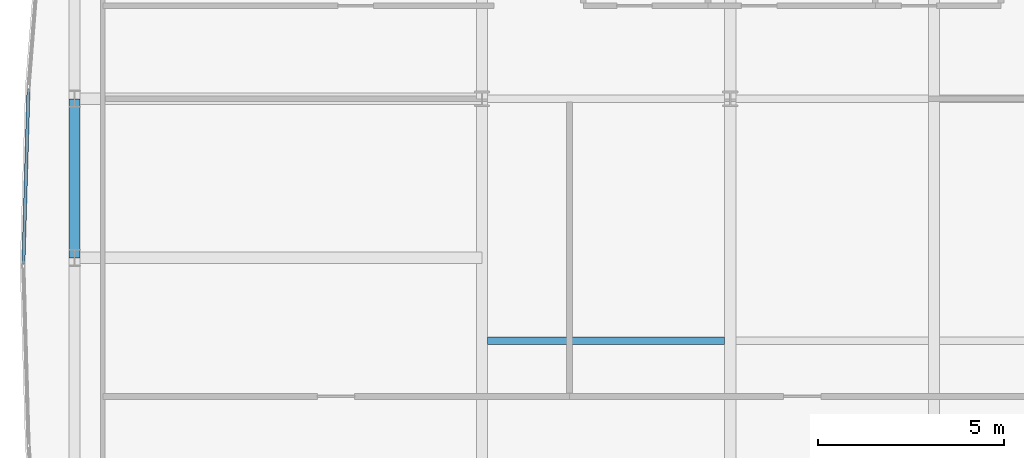
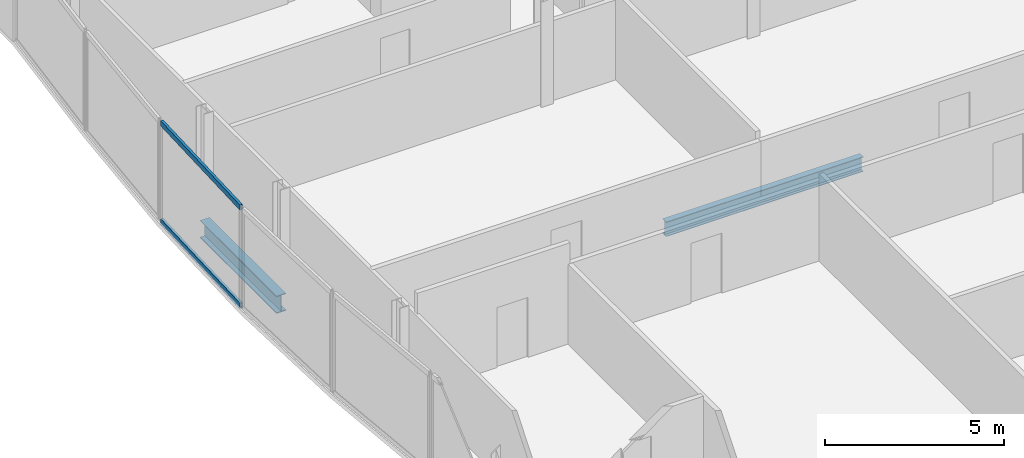
# One storey, part 11 of 32: 2 beams, 2 members, 1 element without a shape of its own.
"""IFC4 building model written with IfcOpenShell, lengths in metres."""

from ifc_helpers import new_model, si_unit, direction, frame, origin, origin_2d, place, context, subcontext, project, spatial, hollow_rectangle, i_section, extrude, material, material_profile, profile_set, type_object, element, aggregate, save


model = new_model("IFC4")

# Units and contexts
model_context = context("Model", 3, precision=1e-05, world=origin(), true_north=direction((0.0, 1.0)))
body_context = subcontext(model_context, "Body", "Model", "MODEL_VIEW")
ifc_project = project(units=[si_unit("LENGTHUNIT", "METRE"), si_unit("AREAUNIT", "SQUARE_METRE"), si_unit("VOLUMEUNIT", "CUBIC_METRE"), si_unit("PLANEANGLEUNIT", "RADIAN"), si_unit("MASSUNIT", "GRAM", prefix="KILO")], contexts=[model_context])

# Site, building, storey
site_placement = place(None, origin())
site = spatial("IfcSite", under=ifc_project, at=site_placement, CompositionType="ELEMENT")
building_placement = place(site_placement, origin())
building = spatial("IfcBuilding", under=site, at=building_placement, Name="Khoronbel Lancet Exchange", CompositionType="ELEMENT")
storey_placement = place(building_placement, frame((0.0, 0.0, 192.199951171875)))
storey = spatial("IfcBuildingStorey", under=building, at=storey_placement, Name="L48", CompositionType="ELEMENT", Elevation=192.199951171875)

# Beams
ifc_material_1 = material(Name="Steel S355", Category="steel")
ifc_material_profile_1 = material_profile(ifc_material_1, i_section(OverallWidth=0.199951171875, OverallDepth=0.5, WebThickness=0.01025390625, FlangeThickness=0.01611328125, at=origin_2d()), Name="IPE 500")
ifc_profile_set_1 = profile_set([ifc_material_profile_1], Name="Steel S355")
beam_type_1 = type_object("IfcBeamType", Name="BM-BJ3", PredefinedType="JOIST", material=ifc_profile_set_1)
beam_1_placement = place(storey_placement, frame((18.375, 29.199951171875, -0.409912109375), z_axis=(1.0, 0.0, 0.0), x_axis=(0.0, 1.0, 0.0)))
element("IfcBeam", 1, at=beam_1_placement, inside=storey, type_object=beam_type_1, Name="Level L48 secondary composite joist J11", PredefinedType="JOIST", context=body_context, shape_type="SweptSolid", body=[
    extrude(i_section(OverallWidth=0.199951171875, OverallDepth=0.5, WebThickness=0.01025390625, FlangeThickness=0.01611328125, at=origin_2d()), origin(), (0.0, 0.0, 1.0), 6.375),
])
ifc_material_profile_2 = material_profile(ifc_material_1, i_section(OverallWidth=0.300048828125, OverallDepth=0.60009765625, WebThickness=0.015380859375, FlangeThickness=0.030029296875, at=origin_2d()), Name="HEB 600")
ifc_profile_set_2 = profile_set([ifc_material_profile_2], Name="Steel S355")
beam_type_2 = type_object("IfcBeamType", Name="BM-BSP2", PredefinedType="SPANDREL", material=ifc_profile_set_2)
beam_2_placement = place(storey_placement, frame((7.27001953125, 35.699951171875, -0.4599609375), z_axis=(0.0, -1.0, 0.0), x_axis=(1.0, 0.0, 0.0)))
element("IfcBeam", 2, at=beam_2_placement, inside=storey, type_object=beam_type_2, Name="Level L48 perimeter spandrel beam SP18", PredefinedType="SPANDREL", context=body_context, shape_type="SweptSolid", body=[
    extrude(i_section(OverallWidth=0.300048828125, OverallDepth=0.60009765625, WebThickness=0.015380859375, FlangeThickness=0.030029296875, at=origin_2d()), origin(), (0.0, 0.0, 1.0), 4.27490234375),
])

# Curtain wall, members
ifc_material_2 = material(Name="Low-E Solar Control Insulating Glass", Category="glass")
curtain_wall_type = type_object("IfcCurtainWallType", Name="CW-4", PredefinedType="NOTDEFINED", material=ifc_material_2)
curtain_wall_placement = place(storey_placement, origin())
curtain_wall = element("IfcCurtainWall", 3, at=curtain_wall_placement, inside=storey, type_object=curtain_wall_type, Name="Unitised curtain wall CW-L48-E07", PredefinedType="NOTDEFINED")
ifc_material_3 = material(Name="Bronze-Anodised Aluminium 6063-T6", Category="aluminium")
ifc_material_profile_3 = material_profile(ifc_material_3, hollow_rectangle(XDim=0.0849609375, YDim=0.179931640625, WallThickness=0.0048828125, at=origin_2d()), Name="ALU TRANSOM 85x180")
ifc_profile_set_3 = profile_set([ifc_material_profile_3], Name="Bronze-Anodised Aluminium 6063-T6")
member_type = type_object("IfcMemberType", Name="MEM-CWT1", PredefinedType="USERDEFINED", material=ifc_profile_set_3)
member_1_placement = place(storey_placement, frame((5.89208984375, 31.27490234375, 0.04248046875), z_axis=(0.029106277096, 0.999576322566, 0.0), x_axis=(-0.999576322566, 0.029106277096, 0.0)))
member_1 = element("IfcMember", 4, at=member_1_placement, type_object=member_type, Name="CW4 transom 1.1", ObjectType="TRANSOM", PredefinedType="USERDEFINED", context=body_context, shape_type="SweptSolid", body=[
    extrude(hollow_rectangle(XDim=0.0849609375, YDim=0.179931640625, WallThickness=0.0048828125, at=origin_2d()), origin(), (0.0, 0.0, 1.0), 4.680419921875),
])
member_2_placement = place(storey_placement, frame((5.89208984375, 31.27490234375, 3.3974609375), z_axis=(0.029106277096, 0.999576322566, 0.0), x_axis=(-0.999576322566, 0.029106277096, 0.0)))
member_2 = element("IfcMember", 5, at=member_2_placement, type_object=member_type, Name="CW4 transom 1.2", ObjectType="TRANSOM", PredefinedType="USERDEFINED", context=body_context, shape_type="SweptSolid", body=[
    extrude(hollow_rectangle(XDim=0.0849609375, YDim=0.179931640625, WallThickness=0.0048828125, at=origin_2d()), origin(), (0.0, 0.0, 1.0), 4.680419921875),
])
aggregate(curtain_wall, [member_1, member_2])

save(model, "model.ifc")
